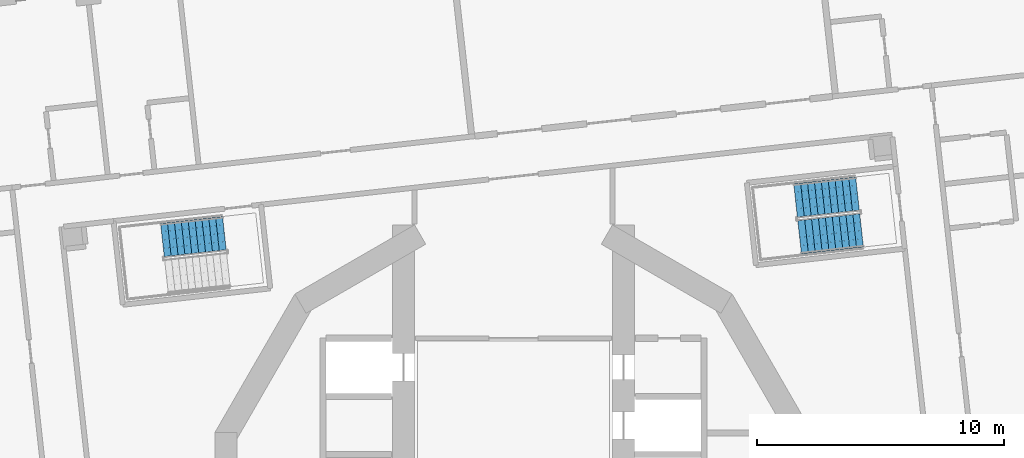
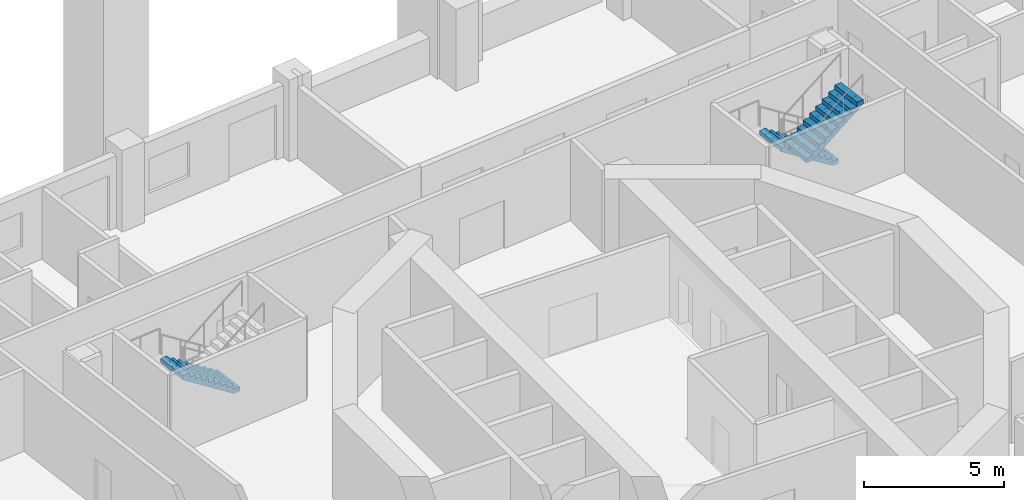
# One storey, part 10 of 20: 3 stair flights, 2 elements without a shape of their own.
"""IFC4 building model written with IfcOpenShell, lengths in metres."""

from ifc_helpers import new_model, si_unit, direction, frame, origin, place, context, subcontext, project, spatial, polyline, outline, extrude, material, type_object, element, aggregate, save


model = new_model("IFC4")

# Units and contexts
model_context = context("Model", 3, precision=1e-05, world=origin(), true_north=direction((0.0, 1.0)))
body_context = subcontext(model_context, "Body", "Model", "MODEL_VIEW")
ifc_project = project(units=[si_unit("LENGTHUNIT", "METRE"), si_unit("AREAUNIT", "SQUARE_METRE"), si_unit("VOLUMEUNIT", "CUBIC_METRE"), si_unit("PLANEANGLEUNIT", "RADIAN"), si_unit("MASSUNIT", "GRAM", prefix="KILO")], contexts=[model_context])

# Site, building, storey
site_placement = place(None, origin())
site = spatial("IfcSite", under=ifc_project, at=site_placement, CompositionType="ELEMENT")
building_placement = place(site_placement, origin())
building = spatial("IfcBuilding", under=site, at=building_placement, Name="Cantera Rosa Tower", CompositionType="ELEMENT")
storey_placement = place(building_placement, frame((0.0, 0.0, 42.5)))
storey = spatial("IfcBuildingStorey", under=building, at=storey_placement, Name="L07", CompositionType="ELEMENT", Elevation=42.5)

# Stair, stair flights
ifc_material_1 = material(Name="Concrete C35/45", Category="concrete")
stair_type = type_object("IfcStairType", Name="EXIT STAIR 1350 DOGLEG", PredefinedType="HALF_TURN_STAIR", material=ifc_material_1)
stair_1_placement = place(storey_placement, origin())
stair_1 = element("IfcStair", 1, at=stair_1_placement, inside=storey, type_object=stair_type, Name="L07 ST-11", PredefinedType="HALF_TURN_STAIR")
ifc_material_2 = material(Name="Concrete C35/45", Category="concrete")
stair_flight_type = type_object("IfcStairFlightType", Name="STAIR FLIGHT 1350 R20x190", PredefinedType="STRAIGHT", material=ifc_material_2)
stair_flight_1_placement = place(storey_placement, frame((13.90869140625, 12.89990234375, 0.0), z_axis=(0.0, 0.0, 1.0), x_axis=(-0.993896947056, -0.110312549749, 0.0)))
stair_flight_1 = element("IfcStairFlight", 2, at=stair_flight_1_placement, type_object=stair_flight_type, Name="ST-11 flight 1", NumberOfRisers=10, NumberOfTreads=9, PredefinedType="STRAIGHT", RiserHeight=0.19, TreadLength=0.28, context=body_context, shape_type="SweptSolid", body=[
    extrude(outline(polyline([(0.0, 0.0), (0.0, 0.18994140625), (0.280029296875, 0.18994140625), (0.280029296875, 0.3798828125), (0.56005859375, 0.3798828125), (0.56005859375, 0.570068359375), (0.840087890625, 0.570068359375), (0.840087890625, 0.760009765625), (1.1201171875, 0.760009765625), (1.1201171875, 0.949951171875), (1.39990234375, 0.949951171875), (1.39990234375, 1.139892578125), (1.679931640625, 1.139892578125), (1.679931640625, 1.330078125), (1.9599609375, 1.330078125), (1.9599609375, 1.52001953125), (2.239990234375, 1.52001953125), (2.239990234375, 1.7099609375), (2.52001953125, 1.7099609375), (2.52001953125, 1.89990234375), (2.52001953125, 1.52880859375), (0.266845703125, 0.0), (0.0, 0.0)])), frame((0.0, 0.675048828125, 0.0), z_axis=(0.0, -1.0, 0.0), x_axis=(1.0, 0.0, 0.0)), (0.0, 0.0, 1.0), 0.3359375),
    extrude(outline(polyline([(0.0, 0.0), (0.0, 0.18994140625), (0.280029296875, 0.18994140625), (0.280029296875, 0.3798828125), (0.56005859375, 0.3798828125), (0.56005859375, 0.570068359375), (0.840087890625, 0.570068359375), (0.840087890625, 0.760009765625), (1.1201171875, 0.760009765625), (1.1201171875, 0.949951171875), (1.39990234375, 0.949951171875), (1.39990234375, 1.139892578125), (1.679931640625, 1.139892578125), (1.679931640625, 1.330078125), (1.9599609375, 1.330078125), (1.9599609375, 1.52001953125), (2.239990234375, 1.52001953125), (2.239990234375, 1.7099609375), (2.52001953125, 1.7099609375), (2.52001953125, 1.89990234375), (2.52001953125, 1.52880859375), (0.266845703125, 0.0), (0.0, 0.0)])), frame((0.0, 0.337158203125, 0.0), z_axis=(0.0, -1.0, 0.0), x_axis=(1.0, 0.0, 0.0)), (0.0, 0.0, 1.0), 0.3359375),
    extrude(outline(polyline([(0.0, 0.0), (0.0, 0.18994140625), (0.280029296875, 0.18994140625), (0.280029296875, 0.3798828125), (0.56005859375, 0.3798828125), (0.56005859375, 0.570068359375), (0.840087890625, 0.570068359375), (0.840087890625, 0.760009765625), (1.1201171875, 0.760009765625), (1.1201171875, 0.949951171875), (1.39990234375, 0.949951171875), (1.39990234375, 1.139892578125), (1.679931640625, 1.139892578125), (1.679931640625, 1.330078125), (1.9599609375, 1.330078125), (1.9599609375, 1.52001953125), (2.239990234375, 1.52001953125), (2.239990234375, 1.7099609375), (2.52001953125, 1.7099609375), (2.52001953125, 1.89990234375), (2.52001953125, 1.52880859375), (0.266845703125, 0.0), (0.0, 0.0)])), frame((0.0, -0.000732421875, 0.0), z_axis=(0.0, -1.0, 0.0), x_axis=(1.0, 0.0, 0.0)), (0.0, 0.0, 1.0), 0.3359375),
    extrude(outline(polyline([(0.0, 0.0), (0.0, 0.18994140625), (0.280029296875, 0.18994140625), (0.280029296875, 0.3798828125), (0.56005859375, 0.3798828125), (0.56005859375, 0.570068359375), (0.840087890625, 0.570068359375), (0.840087890625, 0.760009765625), (1.1201171875, 0.760009765625), (1.1201171875, 0.949951171875), (1.39990234375, 0.949951171875), (1.39990234375, 1.139892578125), (1.679931640625, 1.139892578125), (1.679931640625, 1.330078125), (1.9599609375, 1.330078125), (1.9599609375, 1.52001953125), (2.239990234375, 1.52001953125), (2.239990234375, 1.7099609375), (2.52001953125, 1.7099609375), (2.52001953125, 1.89990234375), (2.52001953125, 1.52880859375), (0.266845703125, 0.0), (0.0, 0.0)])), frame((0.0, -0.338623046875, 0.0), z_axis=(0.0, -1.0, 0.0), x_axis=(1.0, 0.0, 0.0)), (0.0, 0.0, 1.0), 0.3359375),
])
stair_flight_2_placement = place(storey_placement, frame((11.569580078125, 11.131103515625, 1.89990234375), z_axis=(0.0, 0.0, 1.0), x_axis=(0.993896947056, 0.110312549749, 0.0)))
stair_flight_2 = element("IfcStairFlight", 3, at=stair_flight_2_placement, type_object=stair_flight_type, Name="ST-11 flight 2", NumberOfRisers=10, NumberOfTreads=9, PredefinedType="STRAIGHT", RiserHeight=0.19, TreadLength=0.28, context=body_context, shape_type="SweptSolid", body=[
    extrude(outline(polyline([(0.0, 0.0), (0.0, 0.18994140625), (0.280029296875, 0.18994140625), (0.280029296875, 0.3798828125), (0.56005859375, 0.3798828125), (0.56005859375, 0.570068359375), (0.840087890625, 0.570068359375), (0.840087890625, 0.760009765625), (1.1201171875, 0.760009765625), (1.1201171875, 0.949951171875), (1.39990234375, 0.949951171875), (1.39990234375, 1.139892578125), (1.679931640625, 1.139892578125), (1.679931640625, 1.330078125), (1.9599609375, 1.330078125), (1.9599609375, 1.52001953125), (2.239990234375, 1.52001953125), (2.239990234375, 1.7099609375), (2.52001953125, 1.7099609375), (2.52001953125, 1.89990234375), (2.52001953125, 1.52880859375), (0.266845703125, 0.0), (0.0, 0.0)])), frame((0.0, 0.675048828125, 0.0), z_axis=(0.0, -1.0, 0.0), x_axis=(1.0, 0.0, 0.0)), (0.0, 0.0, 1.0), 0.3359375),
    extrude(outline(polyline([(0.0, 0.0), (0.0, 0.18994140625), (0.280029296875, 0.18994140625), (0.280029296875, 0.3798828125), (0.56005859375, 0.3798828125), (0.56005859375, 0.570068359375), (0.840087890625, 0.570068359375), (0.840087890625, 0.760009765625), (1.1201171875, 0.760009765625), (1.1201171875, 0.949951171875), (1.39990234375, 0.949951171875), (1.39990234375, 1.139892578125), (1.679931640625, 1.139892578125), (1.679931640625, 1.330078125), (1.9599609375, 1.330078125), (1.9599609375, 1.52001953125), (2.239990234375, 1.52001953125), (2.239990234375, 1.7099609375), (2.52001953125, 1.7099609375), (2.52001953125, 1.89990234375), (2.52001953125, 1.52880859375), (0.266845703125, 0.0), (0.0, 0.0)])), frame((0.0, 0.337158203125, 0.0), z_axis=(0.0, -1.0, 0.0), x_axis=(1.0, 0.0, 0.0)), (0.0, 0.0, 1.0), 0.3359375),
    extrude(outline(polyline([(0.0, 0.0), (0.0, 0.18994140625), (0.280029296875, 0.18994140625), (0.280029296875, 0.3798828125), (0.56005859375, 0.3798828125), (0.56005859375, 0.570068359375), (0.840087890625, 0.570068359375), (0.840087890625, 0.760009765625), (1.1201171875, 0.760009765625), (1.1201171875, 0.949951171875), (1.39990234375, 0.949951171875), (1.39990234375, 1.139892578125), (1.679931640625, 1.139892578125), (1.679931640625, 1.330078125), (1.9599609375, 1.330078125), (1.9599609375, 1.52001953125), (2.239990234375, 1.52001953125), (2.239990234375, 1.7099609375), (2.52001953125, 1.7099609375), (2.52001953125, 1.89990234375), (2.52001953125, 1.52880859375), (0.266845703125, 0.0), (0.0, 0.0)])), frame((0.0, -0.000732421875, 0.0), z_axis=(0.0, -1.0, 0.0), x_axis=(1.0, 0.0, 0.0)), (0.0, 0.0, 1.0), 0.3359375),
    extrude(outline(polyline([(0.0, 0.0), (0.0, 0.18994140625), (0.280029296875, 0.18994140625), (0.280029296875, 0.3798828125), (0.56005859375, 0.3798828125), (0.56005859375, 0.570068359375), (0.840087890625, 0.570068359375), (0.840087890625, 0.760009765625), (1.1201171875, 0.760009765625), (1.1201171875, 0.949951171875), (1.39990234375, 0.949951171875), (1.39990234375, 1.139892578125), (1.679931640625, 1.139892578125), (1.679931640625, 1.330078125), (1.9599609375, 1.330078125), (1.9599609375, 1.52001953125), (2.239990234375, 1.52001953125), (2.239990234375, 1.7099609375), (2.52001953125, 1.7099609375), (2.52001953125, 1.89990234375), (2.52001953125, 1.52880859375), (0.266845703125, 0.0), (0.0, 0.0)])), frame((0.0, -0.338623046875, 0.0), z_axis=(0.0, -1.0, 0.0), x_axis=(1.0, 0.0, 0.0)), (0.0, 0.0, 1.0), 0.3359375),
])
aggregate(stair_1, [stair_flight_1, stair_flight_2])

# Stair, stair flight
stair_2_placement = place(storey_placement, origin())
stair_2 = element("IfcStair", 4, at=stair_2_placement, inside=storey, type_object=stair_type, Name="L07 ST-12", PredefinedType="HALF_TURN_STAIR")
stair_flight_3_placement = place(storey_placement, frame((-11.691162109375, 11.2998046875, 0.0), z_axis=(0.0, 0.0, 1.0), x_axis=(-0.993896947056, -0.110312549749, 0.0)))
stair_flight_3 = element("IfcStairFlight", 5, at=stair_flight_3_placement, type_object=stair_flight_type, Name="ST-12 flight 1", NumberOfRisers=10, NumberOfTreads=9, PredefinedType="STRAIGHT", RiserHeight=0.19, TreadLength=0.28, context=body_context, shape_type="SweptSolid", body=[
    extrude(outline(polyline([(0.0, 0.0), (0.0, 0.18994140625), (0.280029296875, 0.18994140625), (0.280029296875, 0.3798828125), (0.56005859375, 0.3798828125), (0.56005859375, 0.570068359375), (0.840087890625, 0.570068359375), (0.840087890625, 0.760009765625), (1.1201171875, 0.760009765625), (1.1201171875, 0.949951171875), (1.39990234375, 0.949951171875), (1.39990234375, 1.139892578125), (1.679931640625, 1.139892578125), (1.679931640625, 1.330078125), (1.9599609375, 1.330078125), (1.9599609375, 1.52001953125), (2.239990234375, 1.52001953125), (2.239990234375, 1.7099609375), (2.52001953125, 1.7099609375), (2.52001953125, 1.89990234375), (2.52001953125, 1.52880859375), (0.266845703125, 0.0), (0.0, 0.0)])), frame((0.0, 0.675048828125, 0.0), z_axis=(0.0, -1.0, 0.0), x_axis=(1.0, 0.0, 0.0)), (0.0, 0.0, 1.0), 0.3359375),
    extrude(outline(polyline([(0.0, 0.0), (0.0, 0.18994140625), (0.280029296875, 0.18994140625), (0.280029296875, 0.3798828125), (0.56005859375, 0.3798828125), (0.56005859375, 0.570068359375), (0.840087890625, 0.570068359375), (0.840087890625, 0.760009765625), (1.1201171875, 0.760009765625), (1.1201171875, 0.949951171875), (1.39990234375, 0.949951171875), (1.39990234375, 1.139892578125), (1.679931640625, 1.139892578125), (1.679931640625, 1.330078125), (1.9599609375, 1.330078125), (1.9599609375, 1.52001953125), (2.239990234375, 1.52001953125), (2.239990234375, 1.7099609375), (2.52001953125, 1.7099609375), (2.52001953125, 1.89990234375), (2.52001953125, 1.52880859375), (0.266845703125, 0.0), (0.0, 0.0)])), frame((0.0, 0.337158203125, 0.0), z_axis=(0.0, -1.0, 0.0), x_axis=(1.0, 0.0, 0.0)), (0.0, 0.0, 1.0), 0.3359375),
    extrude(outline(polyline([(0.0, 0.0), (0.0, 0.18994140625), (0.280029296875, 0.18994140625), (0.280029296875, 0.3798828125), (0.56005859375, 0.3798828125), (0.56005859375, 0.570068359375), (0.840087890625, 0.570068359375), (0.840087890625, 0.760009765625), (1.1201171875, 0.760009765625), (1.1201171875, 0.949951171875), (1.39990234375, 0.949951171875), (1.39990234375, 1.139892578125), (1.679931640625, 1.139892578125), (1.679931640625, 1.330078125), (1.9599609375, 1.330078125), (1.9599609375, 1.52001953125), (2.239990234375, 1.52001953125), (2.239990234375, 1.7099609375), (2.52001953125, 1.7099609375), (2.52001953125, 1.89990234375), (2.52001953125, 1.52880859375), (0.266845703125, 0.0), (0.0, 0.0)])), frame((0.0, -0.000732421875, 0.0), z_axis=(0.0, -1.0, 0.0), x_axis=(1.0, 0.0, 0.0)), (0.0, 0.0, 1.0), 0.3359375),
    extrude(outline(polyline([(0.0, 0.0), (0.0, 0.18994140625), (0.280029296875, 0.18994140625), (0.280029296875, 0.3798828125), (0.56005859375, 0.3798828125), (0.56005859375, 0.570068359375), (0.840087890625, 0.570068359375), (0.840087890625, 0.760009765625), (1.1201171875, 0.760009765625), (1.1201171875, 0.949951171875), (1.39990234375, 0.949951171875), (1.39990234375, 1.139892578125), (1.679931640625, 1.139892578125), (1.679931640625, 1.330078125), (1.9599609375, 1.330078125), (1.9599609375, 1.52001953125), (2.239990234375, 1.52001953125), (2.239990234375, 1.7099609375), (2.52001953125, 1.7099609375), (2.52001953125, 1.89990234375), (2.52001953125, 1.52880859375), (0.266845703125, 0.0), (0.0, 0.0)])), frame((0.0, -0.338623046875, 0.0), z_axis=(0.0, -1.0, 0.0), x_axis=(1.0, 0.0, 0.0)), (0.0, 0.0, 1.0), 0.3359375),
])
aggregate(stair_2, [stair_flight_3])

save(model, "model.ifc")
